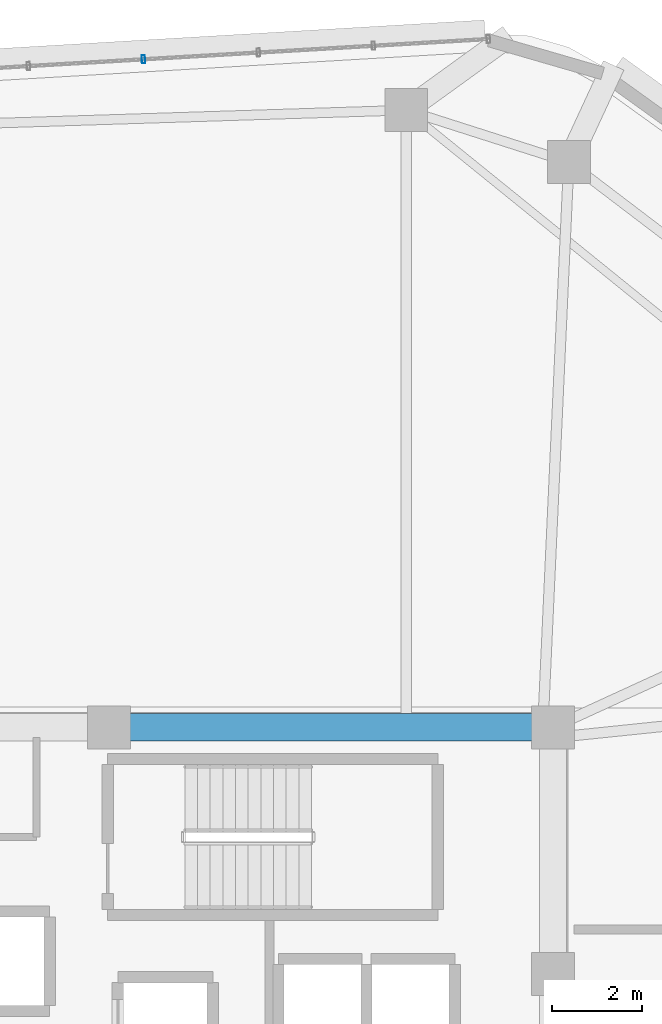
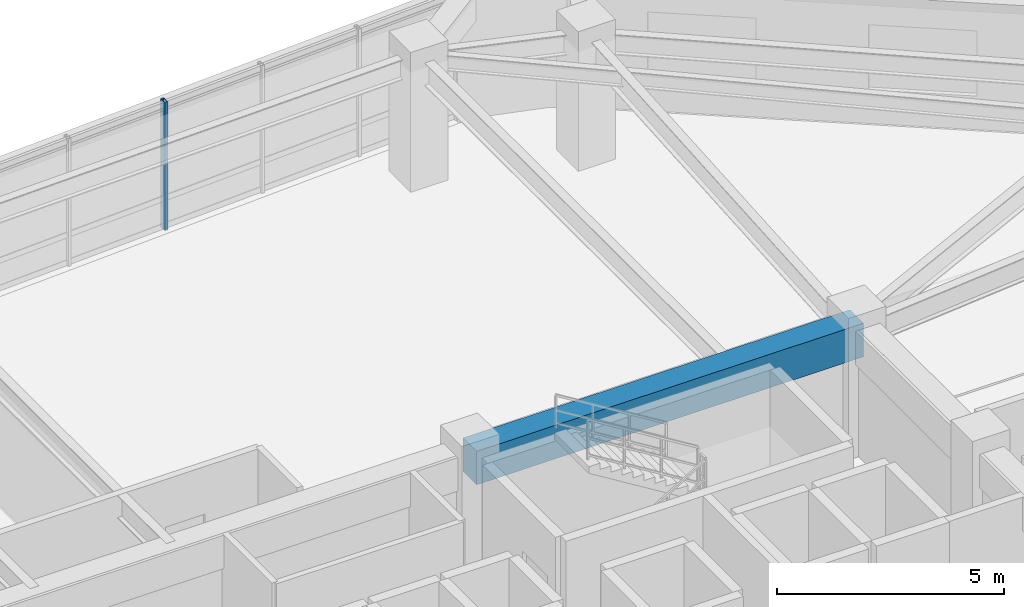
# One storey, part 4 of 14: 1 beam, 1 member, 1 element without a shape of its own.
"""IFC4 building model written with IfcOpenShell, lengths in metres."""

import ifcopenshell
import ifcopenshell.guid

model = None  # the IFC model being written
_history = None  # IfcOwnerHistory: only IFC2X3 demands one
_inside = {}  # id of a spatial element -> (the spatial element, [elements in it])
_under = {}  # id of a project, library or spatial element -> (it, [spatial elements below it])
_declared = {}  # id of a project -> (the project, [libraries it declares])
_typed = {}  # id of a type object -> (the type object, [elements of that type])
_made_of = {}  # id of a material, layer set ... -> (it, [elements and type objects made of it])


def new_model(schema):
    """Start an empty IFC model of exactly this schema.

    Asked for "IFC4X3", IfcOpenShell would pick the latest addendum, in which some entities
    have other attributes; the version numbers below select the first issue.
    IFC2X3 requires an IfcOwnerHistory on every rooted entity: one is made here for all.
    """
    global model, _history
    if schema == "IFC4X3":
        model = ifcopenshell.file(schema_version=(4, 3, 0, 0))
    else:
        model = ifcopenshell.file(schema=schema)
    _inside.clear()
    _under.clear()
    _declared.clear()
    _typed.clear()
    _made_of.clear()
    _history = None
    if model.schema == "IFC2X3":
        org = make("IfcOrganization", Name="unknown")
        user = make(
            "IfcPersonAndOrganization",
            ThePerson=make("IfcPerson", FamilyName="unknown"),
            TheOrganization=org,
        )
        app = make(
            "IfcApplication",
            ApplicationDeveloper=org,
            Version="unknown",
            ApplicationFullName="unknown",
            ApplicationIdentifier="unknown",
        )
        _history = make(
            "IfcOwnerHistory",
            OwningUser=user,
            OwningApplication=app,
            ChangeAction="ADDED",
            CreationDate=0,
        )
    return model


def make(cls, **values):
    """One entity of the class cls with the attributes given. An attribute that is None is left unset."""
    return model.create_entity(
        cls, **{name: value for name, value in values.items() if value is not None}
    )


def rooted(cls, **values):
    """An entity with a GlobalId (a new one), such as an element, a storey or a relation."""
    return make(cls, GlobalId=ifcopenshell.guid.new(), OwnerHistory=_history, **values)


def si_unit(unit_type, name, prefix=None):
    """IfcSIUnit, for example si_unit("LENGTHUNIT", "METRE", prefix="MILLI")."""
    return make("IfcSIUnit", UnitType=unit_type, Prefix=prefix, Name=name)


def assignment(units):
    """IfcUnitAssignment: the units of a project."""
    return None if units is None else make("IfcUnitAssignment", Units=units)


def point(xyz):
    """IfcCartesianPoint."""
    return None if xyz is None else make("IfcCartesianPoint", Coordinates=xyz)


def direction(xyz):
    """IfcDirection."""
    return None if xyz is None else make("IfcDirection", DirectionRatios=xyz)


def frame(location, z_axis=None, x_axis=None):
    """IfcAxis2Placement3D, a coordinate frame: its origin and axes. An axis left out is left unset."""
    return make(
        "IfcAxis2Placement3D",
        Location=point(location),
        Axis=direction(z_axis),
        RefDirection=direction(x_axis),
    )


def frame_2d(location, x_axis=None):
    """IfcAxis2Placement2D, a coordinate frame in the plane: its origin and x axis."""
    return make(
        "IfcAxis2Placement2D", Location=point(location), RefDirection=direction(x_axis)
    )


def origin():
    """The frame at (0, 0, 0) with its axes left unset."""
    return frame((0.0, 0.0, 0.0))


def origin_2d():
    """The frame at (0, 0) in the plane with its x axis left unset."""
    return frame_2d((0.0, 0.0))


def place(relative_to, where):
    """IfcLocalPlacement: puts the frame where relative to a parent placement (None: the world)."""
    return make(
        "IfcLocalPlacement", PlacementRelTo=relative_to, RelativePlacement=where
    )


def context(
    kind, dimensions, precision=None, world=None, true_north=None, identifier=None
):
    """IfcGeometricRepresentationContext, for example the 3D "Model" context."""
    return make(
        "IfcGeometricRepresentationContext",
        ContextIdentifier=identifier,
        ContextType=kind,
        CoordinateSpaceDimension=dimensions,
        Precision=precision,
        WorldCoordinateSystem=world,
        TrueNorth=true_north,
    )


def subcontext(parent, identifier, kind, view, scale=None):
    """IfcGeometricRepresentationSubContext, for example "Body" below "Model"."""
    return make(
        "IfcGeometricRepresentationSubContext",
        ContextIdentifier=identifier,
        ContextType=kind,
        ParentContext=parent,
        TargetScale=scale,
        TargetView=view,
    )


def project(units=None, contexts=None):
    """IfcProject with its units and contexts."""
    return rooted(
        "IfcProject",
        Name="project",
        RepresentationContexts=contexts,
        UnitsInContext=assignment(units),
    )


def spatial(cls, under=None, at=None, **own):
    """A site, building, storey or space (cls), placed at a placement, below another one or the project."""
    s = rooted(cls, ObjectPlacement=at, **own)
    if under is not None:
        _under.setdefault(under.id(), (under, []))[1].append(s)
    return s


def profile(cls, at=None, kind="AREA", **sizes):
    """A parametric profile (cls). Its sizes go by their IFC names, for example OverallWidth=200.0."""
    return make(cls, ProfileType=kind, Position=at, **sizes)


def rectangle(**sizes):
    """IfcRectangleProfileDef."""
    return profile("IfcRectangleProfileDef", **sizes)


def hollow_rectangle(**sizes):
    """IfcRectangleHollowProfileDef."""
    return profile("IfcRectangleHollowProfileDef", **sizes)


def extrude(swept, where, along, depth):
    """IfcExtrudedAreaSolid: the profile swept, set in the frame where, extruded along a direction by depth."""
    return make(
        "IfcExtrudedAreaSolid",
        SweptArea=swept,
        Position=where,
        ExtrudedDirection=direction(along),
        Depth=depth,
    )


def shape(context_of_items, identifier, shape_type, items):
    """IfcShapeRepresentation: the items that make up one representation, for example the "Body"."""
    return make(
        "IfcShapeRepresentation",
        ContextOfItems=context_of_items,
        RepresentationIdentifier=identifier,
        RepresentationType=shape_type,
        Items=items,
    )


def material(Name=None, Category=None):
    """IfcMaterial."""
    return make("IfcMaterial", Name=Name, Category=Category)


def material_profile(
    of_material, cross_section, Name=None, Category=None, Priority=None
):
    """IfcMaterialProfile: a cross section and its material."""
    return make(
        "IfcMaterialProfile",
        Name=Name,
        Material=of_material,
        Profile=cross_section,
        Priority=Priority,
        Category=Category,
    )


def profile_set(profiles, Name=None, composite=None):
    """IfcMaterialProfileSet."""
    return make(
        "IfcMaterialProfileSet",
        Name=Name,
        MaterialProfiles=profiles,
        CompositeProfile=composite,
    )


def made_of(thing, what):
    """Note that an element or type object is made of a material, layer set ...; save() writes the relation."""
    if what is not None:
        _made_of.setdefault(what.id(), (what, []))[1].append(thing)
    return thing


def type_object(cls, material=None, **own):
    """A type object (cls), such as IfcWallType, which elements share."""
    return made_of(rooted(cls, **own), material)


def element(
    cls,
    number,
    at=None,
    inside=None,
    cuts=None,
    type_object=None,
    material=None,
    context=None,
    identifier="Body",
    shape_type=None,
    held_by="IfcProductDefinitionShape",
    body=None,
    shapes=None,
    **own,
):
    """One element of the class cls, such as IfcWall. Its Tag is "e" and its number.

    at: its placement. inside: the storey or other place that contains it. cuts: it is an
    opening in that element (IfcRelVoidsElement). A single representation is given by context,
    identifier, shape_type and body (its items); several are given by shapes. held_by: the class
    of the entity that holds the representations. save() writes the other relations.
    """
    e = rooted(cls, Tag="e%d" % number, ObjectPlacement=at, **own)
    if body is not None:
        shapes = [shape(context, identifier, shape_type, body)]
    if shapes is not None:
        e.Representation = make(held_by, Representations=shapes)
    if inside is not None:
        _inside.setdefault(inside.id(), (inside, []))[1].append(e)
    if cuts is not None:
        rooted(
            "IfcRelVoidsElement", RelatingBuildingElement=cuts, RelatedOpeningElement=e
        )
    if type_object is not None:
        _typed.setdefault(type_object.id(), (type_object, []))[1].append(e)
    return made_of(e, material)


def aggregate(whole, parts):
    """IfcRelAggregates: a whole, such as a stair, and the parts it consists of."""
    return rooted("IfcRelAggregates", RelatingObject=whole, RelatedObjects=parts)


def save(model, path):
    """Write the relations noted so far, then the file.

    IfcRelAggregates (storeys below a building ...), IfcRelContainedInSpatialStructure (elements
    in a storey), IfcRelDefinesByType, IfcRelAssociatesMaterial and IfcRelDeclares: one each for
    every whole, place, type object, material and project.
    """
    for whole, parts in _under.values():
        aggregate(whole, parts)
    for where, things in _inside.values():
        rooted(
            "IfcRelContainedInSpatialStructure",
            RelatedElements=things,
            RelatingStructure=where,
        )
    for kind, things in _typed.values():
        rooted("IfcRelDefinesByType", RelatedObjects=things, RelatingType=kind)
    for what, things in _made_of.values():
        rooted("IfcRelAssociatesMaterial", RelatedObjects=things, RelatingMaterial=what)
    for by, libraries in _declared.values():
        rooted("IfcRelDeclares", RelatingContext=by, RelatedDefinitions=libraries)
    model.write(path)


model = new_model("IFC4")

# Units and contexts
model_context = context("Model", 3, precision=1e-05, world=origin(), true_north=direction((0.0, 1.0)))
body_context = subcontext(model_context, "Body", "Model", "MODEL_VIEW")
ifc_project = project(units=[si_unit("LENGTHUNIT", "METRE"), si_unit("AREAUNIT", "SQUARE_METRE"), si_unit("VOLUMEUNIT", "CUBIC_METRE"), si_unit("PLANEANGLEUNIT", "RADIAN"), si_unit("MASSUNIT", "GRAM", prefix="KILO")], contexts=[model_context])

# Site, building, storey
site_placement = place(None, origin())
site = spatial("IfcSite", under=ifc_project, at=site_placement, CompositionType="ELEMENT")
building_placement = place(site_placement, origin())
building = spatial("IfcBuilding", under=site, at=building_placement, Name="Zulverin Broadcast Headquarters", CompositionType="ELEMENT")
storey_placement = place(building_placement, frame((0.0, 0.0, 216.199951171875)))
storey = spatial("IfcBuildingStorey", under=building, at=storey_placement, Name="L55", CompositionType="ELEMENT", Elevation=216.199951171875)

# Beam
ifc_material_1 = material(Name="Concrete C60/75", Category="concrete")
ifc_material_profile_1 = material_profile(ifc_material_1, rectangle(XDim=0.60009765625, YDim=0.89990234375, at=origin_2d()), Name="Concrete C60/75", Category="concrete")
ifc_profile_set_1 = profile_set([ifc_material_profile_1], Name="Concrete C60/75")
beam_type = type_object("IfcBeamType", Name="BM-CB-600x900", PredefinedType="LINTEL", material=ifc_profile_set_1)
beam_placement = place(storey_placement, frame((48.27490234375, 33.074951171875, 2.949951171875), z_axis=(-1.0, 0.0, 0.0), x_axis=(0.0, -1.0, 0.0)))
element("IfcBeam", 1, at=beam_placement, inside=storey, type_object=beam_type, Name="L55 Core Coupling Girder K05-K06", PredefinedType="LINTEL", context=body_context, shape_type="SweptSolid", body=[
    extrude(rectangle(XDim=0.60009765625, YDim=0.89990234375, at=origin_2d()), origin(), (0.0, 0.0, 1.0), 9.824951171875),
])

# Curtain wall, member
ifc_material_2 = material(Name="Waist wind-pressure unitised curtain wall", Category="aluminium")
curtain_wall_type = type_object("IfcCurtainWallType", Name="CW-TWR-WST", PredefinedType="USERDEFINED", material=ifc_material_2)
curtain_wall_placement = place(storey_placement, origin())
curtain_wall = element("IfcCurtainWall", 2, at=curtain_wall_placement, inside=storey, type_object=curtain_wall_type, Name="L55 Unitised Curtain Wall CW-L55-E5", ObjectType="UNITISED CURTAIN WALL", PredefinedType="USERDEFINED")
ifc_material_3 = material(Name="Anodized pale-metal aluminium alloy 6063-T6", Category="aluminium")
ifc_material_profile_2 = material_profile(ifc_material_3, hollow_rectangle(XDim=0.074951171875, YDim=0.179931640625, WallThickness=0.0048828125, at=origin_2d()), Name="Anodized pale-metal aluminium alloy 6063-T6", Category="aluminium")
ifc_profile_set_2 = profile_set([ifc_material_profile_2], Name="Anodized pale-metal aluminium alloy 6063-T6")
member_type = type_object("IfcMemberType", Name="CW-MUL-180", PredefinedType="MULLION", material=ifc_profile_set_2)
member_placement = place(storey_placement, frame((39.215576171875, 47.847900390625, -0.030029296875), z_axis=(0.0, 0.0, 1.0), x_axis=(-0.998274332859, -0.058722707319, 0.0)))
member = element("IfcMember", 3, at=member_placement, type_object=member_type, Name="CW-L55-E5 Mullion 03", PredefinedType="MULLION", context=body_context, shape_type="SweptSolid", body=[
    extrude(hollow_rectangle(XDim=0.074951171875, YDim=0.179931640625, WallThickness=0.0048828125, at=origin_2d()), origin(), (0.0, 0.0, 1.0), 3.4599609375),
])
aggregate(curtain_wall, [member])

save(model, "model.ifc")
